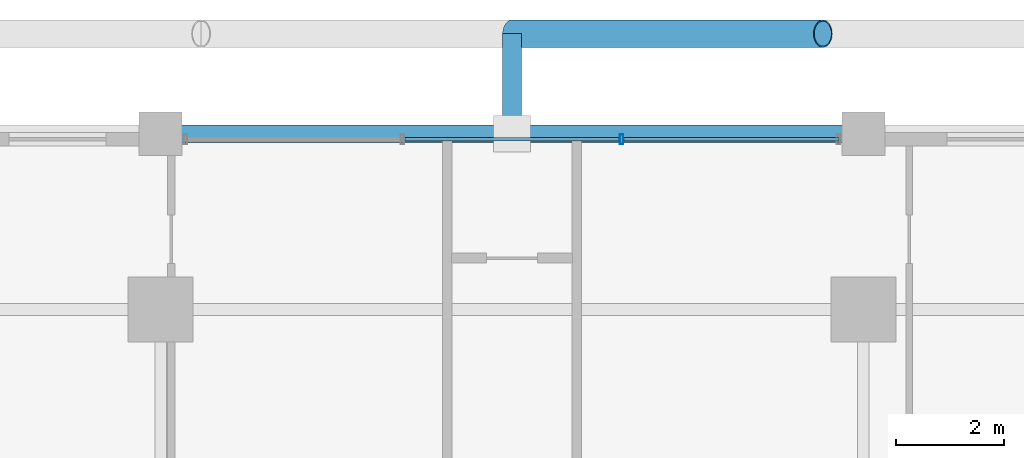
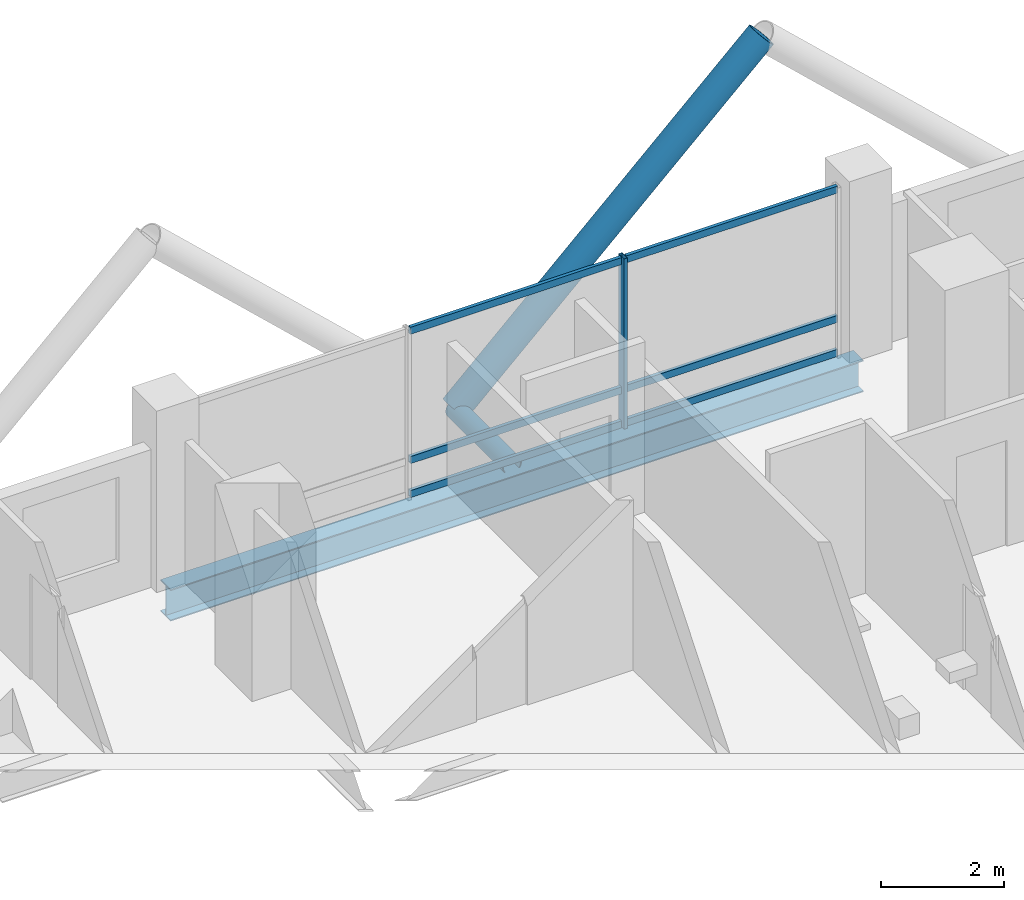
# One storey, part 15 of 25: 9 members, 1 beam, 1 element without a shape of its own.
"""IFC4 building model written with IfcOpenShell, lengths in metres."""

from ifc_helpers import new_model, si_unit, direction, frame, origin, origin_2d, place, context, subcontext, project, spatial, hollow_rectangle, hollow_circle, i_section, extrude, material, layer, layer_set, material_profile, profile_set, type_object, element, aggregate, save


model = new_model("IFC4")

# Units and contexts
model_context = context("Model", 3, precision=1e-05, world=origin(), true_north=direction((0.0, 1.0)))
body_context = subcontext(model_context, "Body", "Model", "MODEL_VIEW")
ifc_project = project(units=[si_unit("LENGTHUNIT", "METRE"), si_unit("AREAUNIT", "SQUARE_METRE"), si_unit("VOLUMEUNIT", "CUBIC_METRE"), si_unit("PLANEANGLEUNIT", "RADIAN"), si_unit("MASSUNIT", "GRAM", prefix="KILO")], contexts=[model_context])

# Site, building, storey
site_placement = place(None, origin())
site = spatial("IfcSite", under=ifc_project, at=site_placement, CompositionType="ELEMENT")
building_placement = place(site_placement, origin())
building = spatial("IfcBuilding", under=site, at=building_placement, Name="Barlavira Tower and Art Museum", CompositionType="ELEMENT")
storey_placement = place(building_placement, frame((0.0, 0.0, 133.199951171875)))
storey = spatial("IfcBuildingStorey", under=building, at=storey_placement, Name="L33", CompositionType="ELEMENT", Elevation=133.199951171875)

# Curtain wall, members
ifc_material_1 = material(Name="Low-iron coastal laminated glass", Category="glass")
ifc_layer = layer(ifc_material_1, 0.18994140625, Name="Low-iron coastal laminated glass")
ifc_layer_set = layer_set([ifc_layer], Name="Low-iron coastal laminated glass")
curtain_wall_type = type_object("IfcCurtainWallType", Name="Pale-Metal Unitised Curtain Wall Zone 2", PredefinedType="NOTDEFINED", material=ifc_layer_set)
curtain_wall_placement = place(storey_placement, origin())
curtain_wall = element("IfcCurtainWall", 1, at=curtain_wall_placement, inside=storey, type_object=curtain_wall_type, Name="L33 Curtain Wall CW2-L33-N-B3", PredefinedType="NOTDEFINED")
ifc_material_2 = material(Name="Pale anodised aluminium", Category="aluminium")
ifc_material_profile_1 = material_profile(ifc_material_2, hollow_rectangle(XDim=0.06494140625, YDim=0.179931640625, WallThickness=0.00390625, at=origin_2d()), Name="ALU-MULL 65x180x4")
ifc_profile_set_1 = profile_set([ifc_material_profile_1], Name="Pale anodised aluminium")
member_type_1 = type_object("IfcMemberType", Name="Curtain Wall Pale-Metal Mullion 65x180", PredefinedType="MULLION", material=ifc_profile_set_1)
member_1_placement = place(storey_placement, frame((2.026611328125, 23.14990234375, 0.0), z_axis=(0.0, 0.0, 1.0), x_axis=(-1.0, 0.0, 0.0)))
member_1 = element("IfcMember", 2, at=member_1_placement, type_object=member_type_1, Name="CW2-L33-N-B3 Mullion 1", PredefinedType="MULLION", context=body_context, shape_type="SweptSolid", body=[
    extrude(hollow_rectangle(XDim=0.06494140625, YDim=0.179931640625, WallThickness=0.00390625, at=origin_2d()), origin(), (0.0, 0.0, 1.0), 3.380126953125),
])
ifc_material_profile_2 = material_profile(ifc_material_2, hollow_rectangle(XDim=0.06494140625, YDim=0.139892578125, WallThickness=0.00390625, at=origin_2d()), Name="ALU-TRAN 65x140x4")
ifc_profile_set_2 = profile_set([ifc_material_profile_2], Name="Pale anodised aluminium")
member_type_2 = type_object("IfcMemberType", Name="Curtain Wall Pale-Metal Transom 65x140", PredefinedType="USERDEFINED", material=ifc_profile_set_2)
member_2_placement = place(storey_placement, frame((6.034912109375, 23.14990234375, 0.070068359375), z_axis=(-1.0, 0.0, 0.0), x_axis=(0.0, -1.0, 0.0)))
member_2 = element("IfcMember", 3, at=member_2_placement, type_object=member_type_2, Name="CW2-L33-N-B3 Transom 0.1", ObjectType="TRANSOM", PredefinedType="USERDEFINED", context=body_context, shape_type="SweptSolid", body=[
    extrude(hollow_rectangle(XDim=0.06494140625, YDim=0.139892578125, WallThickness=0.00390625, at=origin_2d()), origin(), (0.0, 0.0, 1.0), 3.963134765625),
])
member_3_placement = place(storey_placement, frame((6.034912109375, 23.14990234375, 0.744140625), z_axis=(-1.0, 0.0, 0.0), x_axis=(0.0, -1.0, 0.0)))
member_3 = element("IfcMember", 4, at=member_3_placement, type_object=member_type_2, Name="CW2-L33-N-B3 Transom 0.2", ObjectType="TRANSOM", PredefinedType="USERDEFINED", context=body_context, shape_type="SweptSolid", body=[
    extrude(hollow_rectangle(XDim=0.06494140625, YDim=0.139892578125, WallThickness=0.00390625, at=origin_2d()), origin(), (0.0, 0.0, 1.0), 3.963134765625),
])
member_4_placement = place(storey_placement, frame((6.034912109375, 23.14990234375, 3.31005859375), z_axis=(-1.0, 0.0, 0.0), x_axis=(0.0, -1.0, 0.0)))
member_4 = element("IfcMember", 5, at=member_4_placement, type_object=member_type_2, Name="CW2-L33-N-B3 Transom 0.3", ObjectType="TRANSOM", PredefinedType="USERDEFINED", context=body_context, shape_type="SweptSolid", body=[
    extrude(hollow_rectangle(XDim=0.06494140625, YDim=0.139892578125, WallThickness=0.00390625, at=origin_2d()), origin(), (0.0, 0.0, 1.0), 3.963134765625),
])
member_5_placement = place(storey_placement, frame((1.981689453125, 23.14990234375, 0.070068359375), z_axis=(-1.0, 0.0, 0.0), x_axis=(0.0, -1.0, 0.0)))
member_5 = element("IfcMember", 6, at=member_5_placement, type_object=member_type_2, Name="CW2-L33-N-B3 Transom 1.1", ObjectType="TRANSOM", PredefinedType="USERDEFINED", context=body_context, shape_type="SweptSolid", body=[
    extrude(hollow_rectangle(XDim=0.06494140625, YDim=0.139892578125, WallThickness=0.00390625, at=origin_2d()), origin(), (0.0, 0.0, 1.0), 3.96337890625),
])
member_6_placement = place(storey_placement, frame((1.981689453125, 23.14990234375, 0.744140625), z_axis=(-1.0, 0.0, 0.0), x_axis=(0.0, -1.0, 0.0)))
member_6 = element("IfcMember", 7, at=member_6_placement, type_object=member_type_2, Name="CW2-L33-N-B3 Transom 1.2", ObjectType="TRANSOM", PredefinedType="USERDEFINED", context=body_context, shape_type="SweptSolid", body=[
    extrude(hollow_rectangle(XDim=0.06494140625, YDim=0.139892578125, WallThickness=0.00390625, at=origin_2d()), origin(), (0.0, 0.0, 1.0), 3.96337890625),
])
member_7_placement = place(storey_placement, frame((1.981689453125, 23.14990234375, 3.31005859375), z_axis=(-1.0, 0.0, 0.0), x_axis=(0.0, -1.0, 0.0)))
member_7 = element("IfcMember", 8, at=member_7_placement, type_object=member_type_2, Name="CW2-L33-N-B3 Transom 1.3", ObjectType="TRANSOM", PredefinedType="USERDEFINED", context=body_context, shape_type="SweptSolid", body=[
    extrude(hollow_rectangle(XDim=0.06494140625, YDim=0.139892578125, WallThickness=0.00390625, at=origin_2d()), origin(), (0.0, 0.0, 1.0), 3.96337890625),
])
aggregate(curtain_wall, [member_1, member_2, member_3, member_4, member_5, member_6, member_7])

# Members
ifc_material_3 = material(Name="Steel S355", Category="steel")
ifc_material_profile_3 = material_profile(ifc_material_3, hollow_circle(Radius=0.25390625, WallThickness=0.022216796875, at=origin_2d()), Name="CHS 508.0x22.2")
ifc_profile_set_3 = profile_set([ifc_material_profile_3], Name="Steel S355")
member_type_3 = type_object("IfcMemberType", Name="Pale-Metal Exoskeleton Diagrid Tube CHS 508x22 Steel S355", PredefinedType="BRACE", material=ifc_profile_set_3)
member_8_placement = place(storey_placement, frame((0.0, 25.10009765625, -0.119873046875), z_axis=(0.728950095515, 0.0, 0.684566839869), x_axis=(0.0, 1.0, 0.0)))
element("IfcMember", 9, at=member_8_placement, inside=storey, type_object=member_type_3, Name="L33 Exoskeleton Diagrid Tube N", PredefinedType="BRACE", context=body_context, shape_type="SweptSolid", body=[
    extrude(hollow_circle(Radius=0.25390625, WallThickness=0.022216796875, at=origin_2d()), origin(), (0.0, 0.0, 1.0), 7.887939453125),
])
ifc_material_profile_4 = material_profile(ifc_material_3, hollow_circle(Radius=0.177734375, WallThickness=0.01611328125, at=origin_2d()), Name="CHS 355.6x16.0")
ifc_profile_set_4 = profile_set([ifc_material_profile_4], Name="Steel S355")
member_type_4 = type_object("IfcMemberType", Name="Pale-Metal Exoskeleton Tie Strut CHS 356x16 Steel S355", PredefinedType="STRUT", material=ifc_profile_set_4)
member_9_placement = place(storey_placement, frame((0.0, 25.10009765625, -0.119873046875), z_axis=(0.0, -1.0, 0.0), x_axis=(1.0, 0.0, 0.0)))
element("IfcMember", 10, at=member_9_placement, inside=storey, type_object=member_type_4, Name="L33 Exoskeleton Tie Strut N2", PredefinedType="STRUT", context=body_context, shape_type="SweptSolid", body=[
    extrude(hollow_circle(Radius=0.177734375, WallThickness=0.01611328125, at=origin_2d()), origin(), (0.0, 0.0, 1.0), 1.85009765625),
])

# Beam
ifc_material_profile_5 = material_profile(ifc_material_3, i_section(OverallWidth=0.327880859375, OverallDepth=0.62890625, WebThickness=0.013916015625, FlangeThickness=0.021484375, at=origin_2d()), Name="W610x174.0")
ifc_profile_set_5 = profile_set([ifc_material_profile_5], Name="Steel S355")
beam_type = type_object("IfcBeamType", Name="Perimeter Spandrel Edge Beam W610x174 Steel S355", PredefinedType="SPANDREL", material=ifc_profile_set_5)
beam_placement = place(storey_placement, frame((-6.5, 23.25, -0.534423828125), z_axis=(1.0, 0.0, 0.0), x_axis=(0.0, 1.0, 0.0)))
element("IfcBeam", 11, at=beam_placement, inside=storey, type_object=beam_type, Name="L33 Spandrel 10", PredefinedType="SPANDREL", context=body_context, shape_type="SweptSolid", body=[
    extrude(i_section(OverallWidth=0.327880859375, OverallDepth=0.62890625, WebThickness=0.013916015625, FlangeThickness=0.021484375, at=origin_2d()), origin(), (0.0, 0.0, 1.0), 13.0),
])

save(model, "model.ifc")
